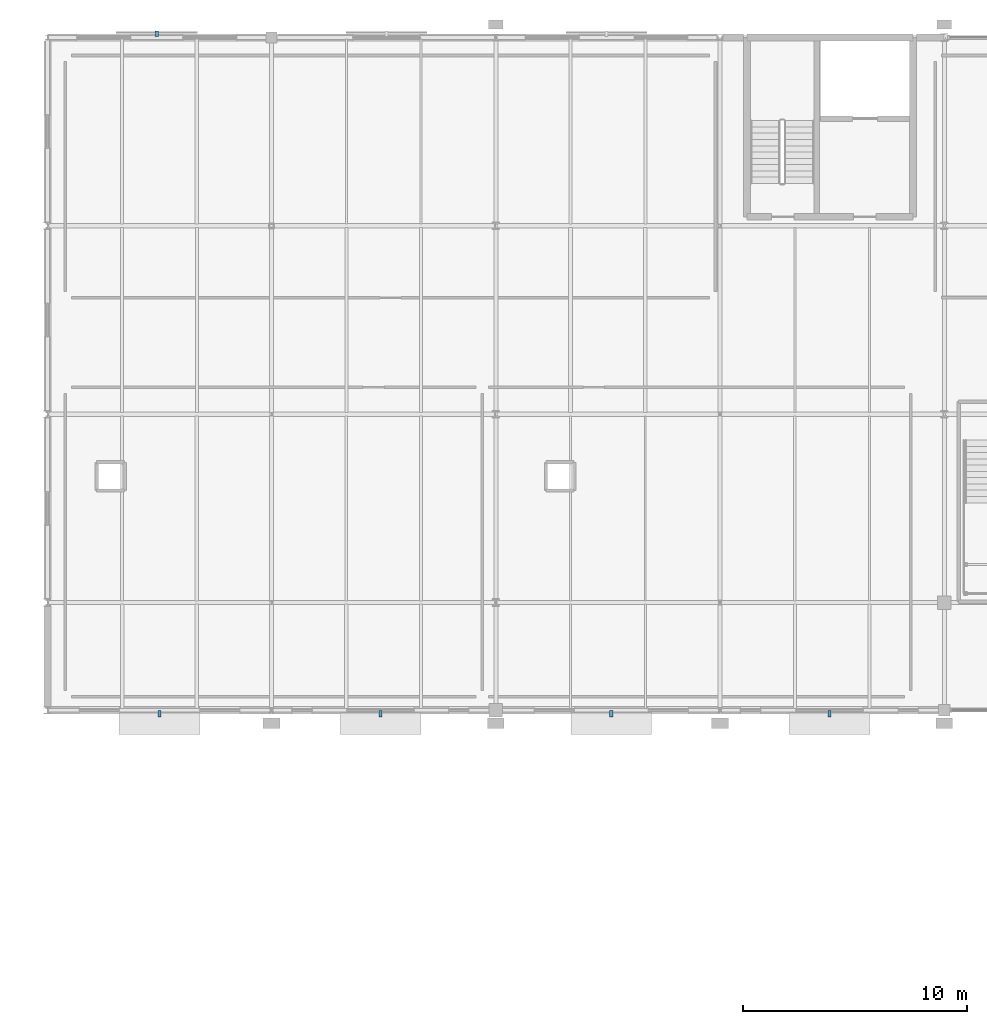
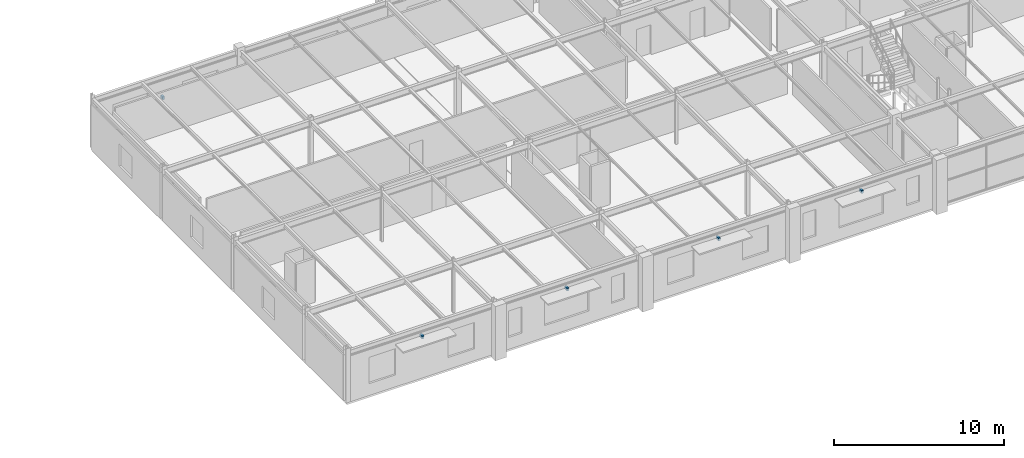
# One storey, part 85 of 98: 5 discrete accessories.
"""IFC4 building model written with IfcOpenShell, lengths in metres."""

from ifc_helpers import new_model, si_unit, derived_unit, direction, frame, origin, origin_2d_with_axis, place, context, subcontext, project, spatial, rectangle, extrude, material, type_object, element, save


model = new_model("IFC4")

# Units and contexts
model_context = context("Model", 3, precision=1e-05, world=origin(), true_north=direction((0.0, 1.0)))
body_context = subcontext(model_context, "Body", "Model", "MODEL_VIEW")
ifc_project = project(units=[si_unit("LENGTHUNIT", "METRE"), si_unit("AREAUNIT", "SQUARE_METRE"), si_unit("VOLUMEUNIT", "CUBIC_METRE"), si_unit("PLANEANGLEUNIT", "RADIAN"), si_unit("MASSUNIT", "GRAM", prefix="KILO"), derived_unit("THERMALTRANSMITTANCEUNIT", [(si_unit("POWERUNIT", "WATT"), 1), (si_unit("LENGTHUNIT", "METRE"), -2), (si_unit("THERMODYNAMICTEMPERATUREUNIT", "KELVIN"), -1)])], contexts=[model_context])

# Site, building, storey
site_placement = place(None, origin())
site = spatial("IfcSite", under=ifc_project, at=site_placement, CompositionType="ELEMENT")
building_placement = place(site_placement, origin())
building = spatial("IfcBuilding", under=site, at=building_placement, Name="Cinnabar Yard Market Hall", CompositionType="ELEMENT")
storey_placement = place(building_placement, frame((0.0, 0.0, 4.5)))
storey = spatial("IfcBuildingStorey", under=building, at=storey_placement, Name="L01", CompositionType="ELEMENT", Elevation=4.5)

# Discrete accessories
ifc_material = material(Name="Galvanised steel Grade 350 (350 MPa)", Category="steel")
discrete_accessory_type = type_object("IfcDiscreteAccessoryType", Name="ACC-BRK1", PredefinedType="BRACKET", material=ifc_material)
discrete_accessory_1_placement = place(storey_placement, frame((71.0009765625, 107.840087890625, 2.89990234375), z_axis=(0.0, 0.0, 1.0), x_axis=(1.0, 0.0, 0.0)))
element("IfcDiscreteAccessory", 1, at=discrete_accessory_1_placement, inside=storey, type_object=discrete_accessory_type, Name="Chhajja Bracket V3S-L01-1", PredefinedType="BRACKET", context=body_context, shape_type="SweptSolid", body=[
    extrude(rectangle(XDim=0.139892578125, YDim=0.280029296875, at=origin_2d_with_axis()), origin(), (0.0, 0.0, 1.0), 0.219970703125),
])
discrete_accessory_2_placement = place(storey_placement, frame((70.8779296875, 138.159912109375, 1.740234375), z_axis=(0.0, 0.0, 1.0), x_axis=(1.0, 0.0, 0.0)))
element("IfcDiscreteAccessory", 2, at=discrete_accessory_2_placement, inside=storey, type_object=discrete_accessory_type, Name="Jali Bracket V3N-L01-1", PredefinedType="BRACKET", context=body_context, shape_type="SweptSolid", body=[
    extrude(rectangle(XDim=0.139892578125, YDim=0.239990234375, at=origin_2d_with_axis()), origin(), (0.0, 0.0, 1.0), 0.219970703125),
])
for number, where, z_axis, x_axis, name in (
    (3, (80.85302734375, 107.840087890625, 2.89990234375), (0.0, 0.0, 1.0), (1.0, 0.0, 0.0), "Chhajja Bracket V3S-L01-2"),
    (4, (91.14697265625, 107.840087890625, 2.89990234375), (0.0, 0.0, 1.0), (1.0, 0.0, 0.0), "Chhajja Bracket V3S-L01-3"),
    (5, (100.8779296875, 107.840087890625, 2.89990234375), (0.0, 0.0, 1.0), (1.0, 0.0, 0.0), "Chhajja Bracket V3S-L01-4"),
):
    element("IfcDiscreteAccessory", number, at=place(storey_placement, frame(where, z_axis=z_axis, x_axis=x_axis)), inside=storey, type_object=discrete_accessory_type, Name=name, PredefinedType="BRACKET", context=body_context, shape_type="SweptSolid", body=[
        extrude(rectangle(XDim=0.139892578125, YDim=0.280029296875, at=origin_2d_with_axis()), origin(), (0.0, 0.0, 1.0), 0.219970703125),
    ])

save(model, "model.ifc")
